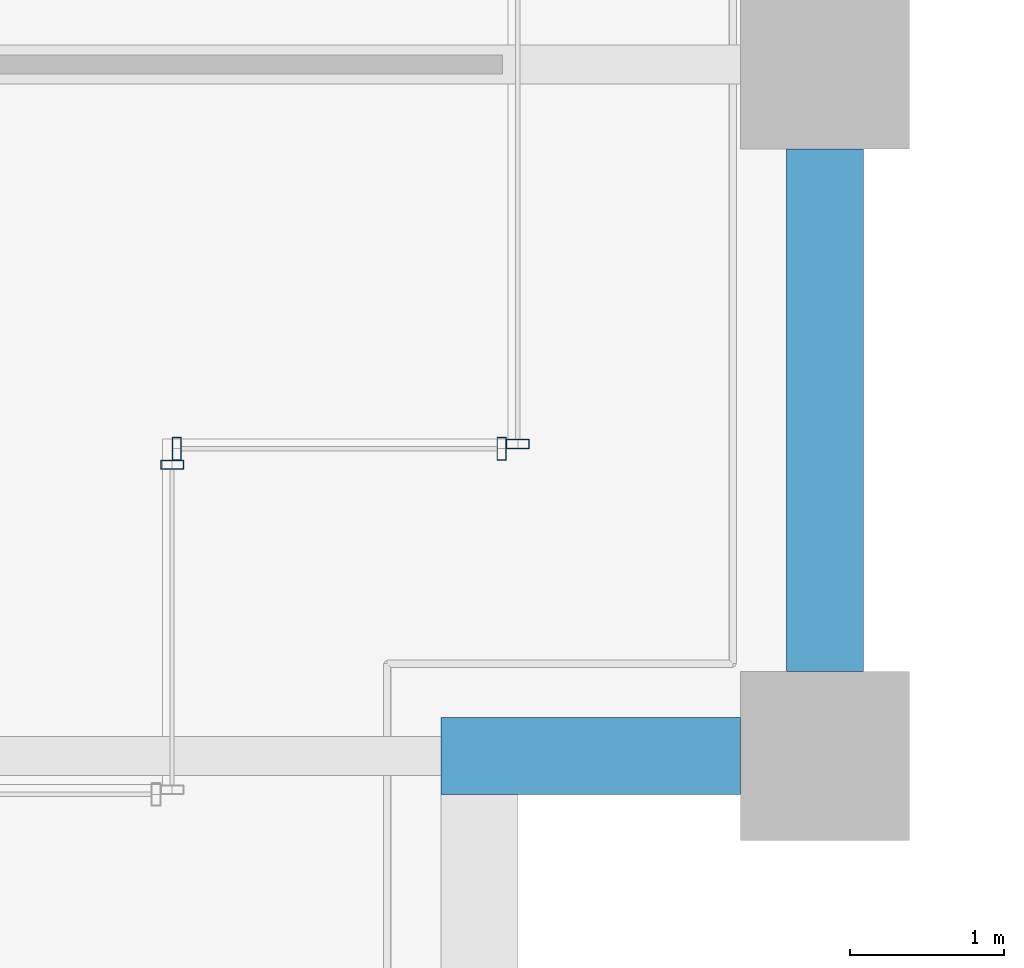
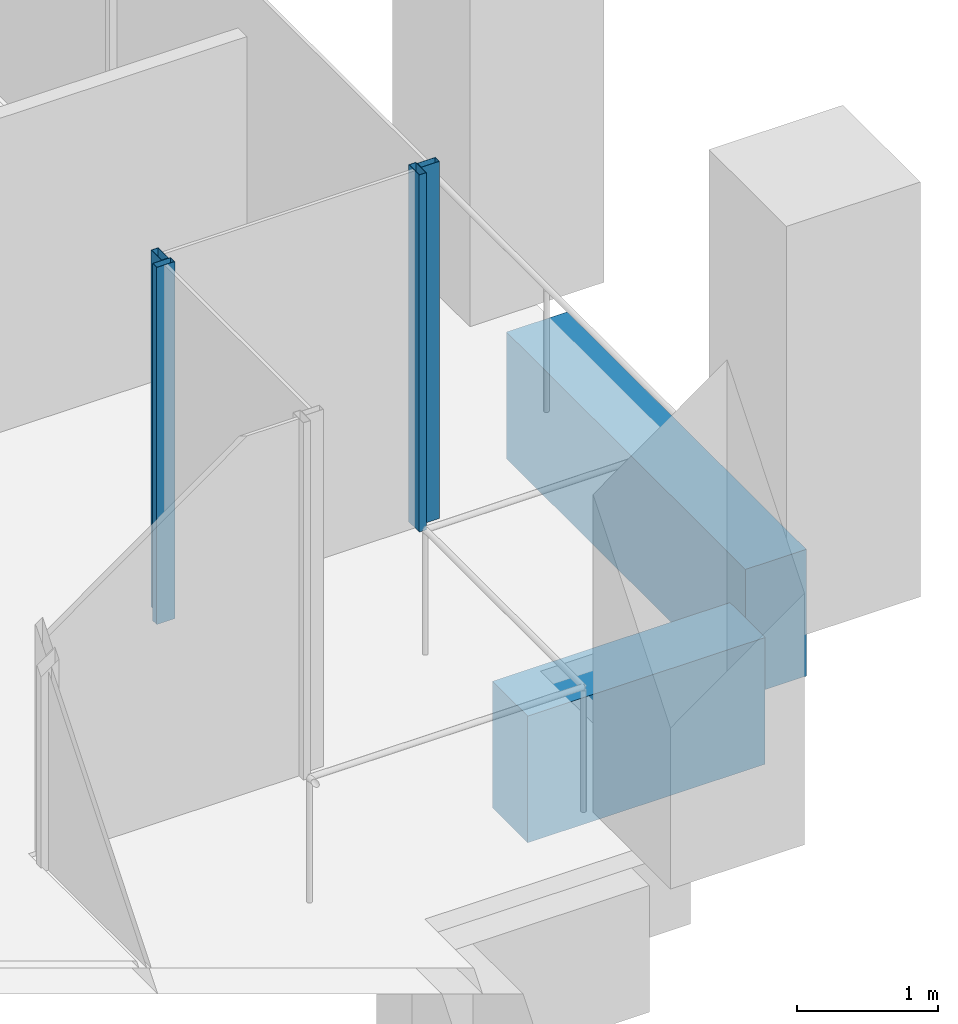
# One storey, part 16 of 56: 4 members, 2 beams, 3 elements without a shape of their own.
"""IFC4 building model written with IfcOpenShell, lengths in metres."""

from ifc_helpers import new_model, si_unit, direction, frame, origin, origin_2d, place, context, subcontext, project, spatial, rectangle, hollow_rectangle, extrude, material, material_profile, profile_set, type_object, element, aggregate, save


model = new_model("IFC4")

# Units and contexts
model_context = context("Model", 3, precision=1e-05, world=origin(), true_north=direction((0.0, 1.0)))
body_context = subcontext(model_context, "Body", "Model", "MODEL_VIEW")
ifc_project = project(units=[si_unit("LENGTHUNIT", "METRE"), si_unit("AREAUNIT", "SQUARE_METRE"), si_unit("VOLUMEUNIT", "CUBIC_METRE"), si_unit("PLANEANGLEUNIT", "RADIAN"), si_unit("MASSUNIT", "GRAM", prefix="KILO")], contexts=[model_context])

# Site, building, storey
site_placement = place(None, origin())
site = spatial("IfcSite", under=ifc_project, at=site_placement, CompositionType="ELEMENT")
building_placement = place(site_placement, origin())
building = spatial("IfcBuilding", under=site, at=building_placement, Name="Altepetl Exchange Towers", CompositionType="ELEMENT")
storey_placement = place(building_placement, frame((0.0, 0.0, 72.60009765625)))
storey = spatial("IfcBuildingStorey", under=building, at=storey_placement, Name="L17", CompositionType="ELEMENT", Elevation=72.60009765625)

# Curtain wall, member
ifc_material_1 = material(Name="Aluminium 6063-T6 glazing", Category="aluminium")
curtain_wall_type = type_object("IfcCurtainWallType", Name="Loggia glazing system", PredefinedType="NOTDEFINED", material=ifc_material_1)
curtain_wall_1_placement = place(storey_placement, origin())
curtain_wall_1 = element("IfcCurtainWall", 1, at=curtain_wall_1_placement, inside=storey, type_object=curtain_wall_type, Name="CW1 run", PredefinedType="NOTDEFINED")
ifc_material_2 = material(Name="Aluminium 6063-T6", Category="aluminium")
ifc_material_profile_1 = material_profile(ifc_material_2, hollow_rectangle(XDim=0.06005859375, YDim=0.14990234375, WallThickness=0.0029296875, at=origin_2d()), Name="Mullion 60x150 aluminium")
ifc_profile_set_1 = profile_set([ifc_material_profile_1], Name="Aluminium 6063-T6")
member_type = type_object("IfcMemberType", Name="Mullion 60x150 aluminium", PredefinedType="MULLION", material=ifc_profile_set_1)
member_1_placement = place(storey_placement, frame((67.75, 33.39501953125, 0.0), z_axis=(0.0, 0.0, 1.0), x_axis=(0.0, 1.0, 0.0)))
member_1 = element("IfcMember", 2, at=member_1_placement, type_object=member_type, Name="MU1 mullion", PredefinedType="MULLION", context=body_context, shape_type="SweptSolid", body=[
    extrude(hollow_rectangle(XDim=0.06005859375, YDim=0.14990234375, WallThickness=0.0029296875, at=origin_2d()), origin(), (0.0, 0.0, 1.0), 3.099853515625),
])
aggregate(curtain_wall_1, [member_1])

# Curtain wall, members
curtain_wall_2_placement = place(storey_placement, origin())
curtain_wall_2 = element("IfcCurtainWall", 3, at=curtain_wall_2_placement, inside=storey, type_object=curtain_wall_type, Name="CW1 run", PredefinedType="NOTDEFINED")
member_2_placement = place(storey_placement, frame((67.780029296875, 33.5, 0.0)))
member_2 = element("IfcMember", 4, at=member_2_placement, type_object=member_type, Name="MU1 mullion", PredefinedType="MULLION", context=body_context, shape_type="SweptSolid", body=[
    extrude(hollow_rectangle(XDim=0.06005859375, YDim=0.14990234375, WallThickness=0.0029296875, at=origin_2d()), origin(), (0.0, 0.0, 1.0), 3.099853515625),
])
member_3_placement = place(storey_placement, frame((69.89501953125, 33.5, 0.0)))
member_3 = element("IfcMember", 5, at=member_3_placement, type_object=member_type, Name="MU1 mullion", PredefinedType="MULLION", context=body_context, shape_type="SweptSolid", body=[
    extrude(hollow_rectangle(XDim=0.06005859375, YDim=0.14990234375, WallThickness=0.0029296875, at=origin_2d()), origin(), (0.0, 0.0, 1.0), 3.099853515625),
])
aggregate(curtain_wall_2, [member_2, member_3])

# Curtain wall, member
curtain_wall_3_placement = place(storey_placement, origin())
curtain_wall_3 = element("IfcCurtainWall", 6, at=curtain_wall_3_placement, inside=storey, type_object=curtain_wall_type, Name="CW1 run", PredefinedType="NOTDEFINED")
member_4_placement = place(storey_placement, frame((70.0, 33.530029296875, 0.0), z_axis=(0.0, 0.0, 1.0), x_axis=(0.0, 1.0, 0.0)))
member_4 = element("IfcMember", 7, at=member_4_placement, type_object=member_type, Name="MU1 mullion", PredefinedType="MULLION", context=body_context, shape_type="SweptSolid", body=[
    extrude(hollow_rectangle(XDim=0.06005859375, YDim=0.14990234375, WallThickness=0.0029296875, at=origin_2d()), origin(), (0.0, 0.0, 1.0), 3.099853515625),
])
aggregate(curtain_wall_3, [member_4])

# Beams
ifc_material_3 = material(Name="Concrete C50/60 precast with cantera amarilla facing", Category="concrete")
ifc_material_profile_2 = material_profile(ifc_material_3, rectangle(XDim=0.5, YDim=1.10009765625, at=origin_2d()), Name="500 x 1100")
ifc_profile_set_2 = profile_set([ifc_material_profile_2], Name="Concrete C50/60 precast with cantera amarilla facing")
beam_type = type_object("IfcBeamType", Name="Spandrel beam 500x1100 cantera amarilla", PredefinedType="SPANDREL", material=ifc_profile_set_2)
beam_1_placement = place(storey_placement, frame((69.5, 31.5, -0.7001953125), z_axis=(1.0, 0.0, 0.0), x_axis=(0.0, 1.0, 0.0)))
element("IfcBeam", 8, at=beam_1_placement, inside=storey, type_object=beam_type, Name="sp:A:L17:011", PredefinedType="SPANDREL", context=body_context, shape_type="SweptSolid", body=[
    extrude(rectangle(XDim=0.5, YDim=1.10009765625, at=origin_2d()), origin(), (0.0, 0.0, 1.0), 1.949951171875),
])
beam_2_placement = place(storey_placement, frame((72.0, 32.050048828125, -0.7001953125), z_axis=(0.0, 1.0, 0.0), x_axis=(-1.0, 0.0, 0.0)))
element("IfcBeam", 9, at=beam_2_placement, inside=storey, type_object=beam_type, Name="sp:A:L17:012", PredefinedType="SPANDREL", context=body_context, shape_type="SweptSolid", body=[
    extrude(rectangle(XDim=0.5, YDim=1.10009765625, at=origin_2d()), origin(), (0.0, 0.0, 1.0), 3.39990234375),
])

save(model, "model.ifc")
